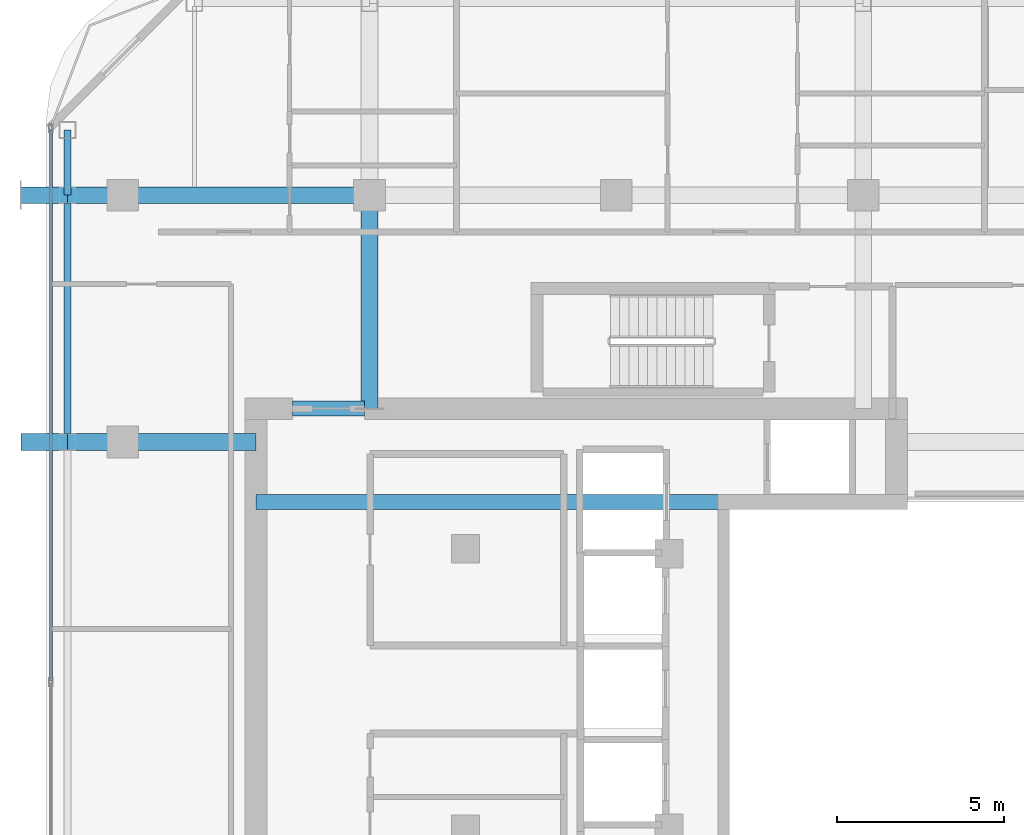
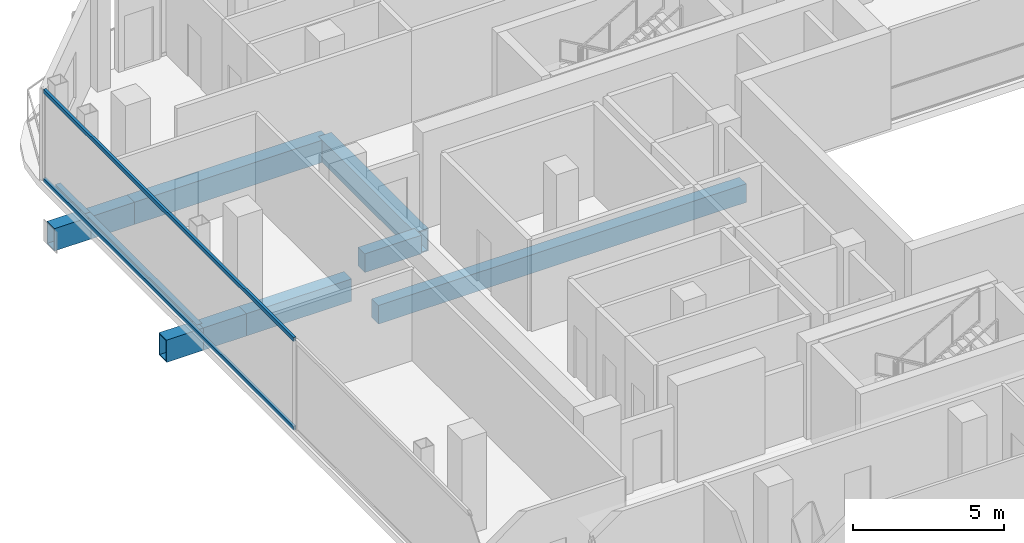
# One storey, part 11 of 25: 11 beams, 2 members, 1 element without a shape of its own.
"""IFC4 building model written with IfcOpenShell, lengths in metres."""

from ifc_helpers import new_model, si_unit, direction, frame, origin, origin_2d, place, context, subcontext, project, spatial, rectangle, hollow_rectangle, extrude, material, layer, layer_set, material_profile, profile_set, type_object, element, aggregate, save


model = new_model("IFC4")

# Units and contexts
model_context = context("Model", 3, precision=1e-05, world=origin(), true_north=direction((0.0, 1.0)))
body_context = subcontext(model_context, "Body", "Model", "MODEL_VIEW")
ifc_project = project(units=[si_unit("LENGTHUNIT", "METRE"), si_unit("AREAUNIT", "SQUARE_METRE"), si_unit("VOLUMEUNIT", "CUBIC_METRE"), si_unit("PLANEANGLEUNIT", "RADIAN"), si_unit("MASSUNIT", "GRAM", prefix="KILO")], contexts=[model_context])

# Site, building, storey
site_placement = place(None, origin())
site = spatial("IfcSite", under=ifc_project, at=site_placement, CompositionType="ELEMENT")
building_placement = place(site_placement, origin())
building = spatial("IfcBuilding", under=site, at=building_placement, Name="Khorvyn Point Tower", CompositionType="ELEMENT")
storey_placement = place(building_placement, frame((0.0, 0.0, 254.699951171875)))
storey = spatial("IfcBuildingStorey", under=building, at=storey_placement, Name="L62", CompositionType="ELEMENT", Elevation=254.699951171875)

# Curtain wall, members
ifc_material_1 = material(Name="Anodised aluminium 6063-T6 and laminated Low-E glass", Category="aluminium")
ifc_layer = layer(ifc_material_1, 0.18994140625)
ifc_layer_set = layer_set([ifc_layer], Name="Stick-Built High-Wind Curtain Wall CW-SYS-04")
curtain_wall_type = type_object("IfcCurtainWallType", Name="Stick-Built High-Wind Curtain Wall CW-SYS-04", PredefinedType="NOTDEFINED", material=ifc_layer_set)
curtain_wall_placement = place(storey_placement, origin())
curtain_wall = element("IfcCurtainWall", 1, at=curtain_wall_placement, inside=storey, type_object=curtain_wall_type, Name="Curtain Wall", PredefinedType="NOTDEFINED")
ifc_material_2 = material(Name="Anodised aluminium 6063-T6", Category="aluminium")
ifc_material_profile_1 = material_profile(ifc_material_2, hollow_rectangle(XDim=0.10009765625, YDim=0.159912109375, WallThickness=0.00439453125, at=origin_2d()))
ifc_profile_set_1 = profile_set([ifc_material_profile_1], Name="Anodised aluminium 6063-T6 ALU-TRN-100x160")
member_type = type_object("IfcMemberType", Name="Anodised Aluminium 6063-T6 Transom ALU-TRN-100x160", PredefinedType="USERDEFINED", material=ifc_profile_set_1)
member_1_placement = place(storey_placement, frame((-16.949951171875, 0.25, 0.050048828125), z_axis=(0.0, 1.0, 0.0), x_axis=(-1.0, 0.0, 0.0)))
member_1 = element("IfcMember", 2, at=member_1_placement, type_object=member_type, Name="Transom", ObjectType="TRANSOM", PredefinedType="USERDEFINED", context=body_context, shape_type="SweptSolid", body=[
    extrude(hollow_rectangle(XDim=0.10009765625, YDim=0.159912109375, WallThickness=0.00439453125, at=origin_2d()), origin(), (0.0, 0.0, 1.0), 16.5),
])
member_2_placement = place(storey_placement, frame((-16.949951171875, 0.25, 3.630126953125), z_axis=(0.0, 1.0, 0.0), x_axis=(-1.0, 0.0, 0.0)))
member_2 = element("IfcMember", 3, at=member_2_placement, type_object=member_type, Name="Transom", ObjectType="TRANSOM", PredefinedType="USERDEFINED", context=body_context, shape_type="SweptSolid", body=[
    extrude(hollow_rectangle(XDim=0.10009765625, YDim=0.159912109375, WallThickness=0.00439453125, at=origin_2d()), origin(), (0.0, 0.0, 1.0), 16.5),
])
aggregate(curtain_wall, [member_1, member_2])

# Beams
ifc_material_3 = material(Name="Concrete C40/50", Category="concrete")
ifc_material_profile_2 = material_profile(ifc_material_3, rectangle(XDim=0.449951171875, YDim=0.75, at=origin_2d()))
ifc_profile_set_2 = profile_set([ifc_material_profile_2], Name="Concrete C40/50 RC450x750")
beam_type_1 = type_object("IfcBeamType", Name="Concrete C40/50 Beam RC450x750", PredefinedType="BEAM", material=ifc_profile_set_2)
beam_1_placement = place(storey_placement, frame((-10.800048828125, 5.60009765625, -0.655029296875), z_axis=(1.0, 0.0, 0.0), x_axis=(0.0, 1.0, 0.0)))
element("IfcBeam", 4, at=beam_1_placement, inside=storey, type_object=beam_type_1, Name="L62 Core Internal Tie Girder N", PredefinedType="BEAM", context=body_context, shape_type="SweptSolid", body=[
    extrude(rectangle(XDim=0.449951171875, YDim=0.75, at=origin_2d()), origin(), (0.0, 0.0, 1.0), 14.02001953125),
])
beam_2_placement = place(storey_placement, frame((-9.699951171875, 8.39990234375, -0.655029296875), z_axis=(1.0, 0.0, 0.0), x_axis=(0.0, 1.0, 0.0)))
element("IfcBeam", 5, at=beam_2_placement, inside=storey, type_object=beam_type_1, Name="L62 Core Northwest Portal Coupling Beam", PredefinedType="BEAM", context=body_context, shape_type="SweptSolid", body=[
    extrude(rectangle(XDim=0.449951171875, YDim=0.75, at=origin_2d()), origin(), (0.0, 0.0, 1.0), 2.14990234375),
])
ifc_material_4 = material(Name="Steel S355", Category="steel")
ifc_material_profile_3 = material_profile(ifc_material_4, hollow_rectangle(XDim=0.199951171875, YDim=0.35009765625, WallThickness=0.013916015625, at=origin_2d()))
ifc_profile_set_3 = profile_set([ifc_material_profile_3], Name="Steel S355 RHS350x200x14")
beam_type_2 = type_object("IfcBeamType", Name="Steel S355 Spandrel RHS350x200x14", PredefinedType="SPANDREL", material=ifc_profile_set_3)
beam_3_placement = place(storey_placement, frame((-16.449951171875, 7.39990234375, -0.454833984375), z_axis=(0.0, 1.0, 0.0), x_axis=(-1.0, 0.0, 0.0)))
element("IfcBeam", 6, at=beam_3_placement, inside=storey, type_object=beam_type_2, Name="Beam", PredefinedType="SPANDREL", context=body_context, shape_type="SweptSolid", body=[
    extrude(hollow_rectangle(XDim=0.199951171875, YDim=0.35009765625, WallThickness=0.013916015625, at=origin_2d()), origin(), (0.0, 0.0, 1.0), 7.400146484375),
])
beam_4_placement = place(storey_placement, frame((-16.449951171875, 14.800048828125, -0.454833984375), z_axis=(0.0, 1.0, 0.0), x_axis=(-1.0, 0.0, 0.0)))
element("IfcBeam", 7, at=beam_4_placement, inside=storey, type_object=beam_type_2, Name="Beam", PredefinedType="SPANDREL", context=body_context, shape_type="SweptSolid", body=[
    extrude(hollow_rectangle(XDim=0.199951171875, YDim=0.35009765625, WallThickness=0.013916015625, at=origin_2d()), origin(), (0.0, 0.0, 1.0), 1.949951171875),
])
ifc_material_5 = material(Name="Steel S450", Category="steel")
ifc_material_profile_4 = material_profile(ifc_material_5, hollow_rectangle(XDim=0.5, YDim=0.89990234375, WallThickness=0.0400390625, at=origin_2d()))
ifc_profile_set_4 = profile_set([ifc_material_profile_4], Name="Steel S450 BOX900x500x40")
beam_type_3 = type_object("IfcBeamType", Name="Steel S450 Beam BOX900x500x40", PredefinedType="BEAM", material=ifc_profile_set_4)
beam_5_placement = place(storey_placement, frame((-17.85009765625, 14.800048828125, -0.72998046875), z_axis=(1.0, 0.0, 0.0), x_axis=(0.0, 1.0, 0.0)))
element("IfcBeam", 8, at=beam_5_placement, inside=storey, type_object=beam_type_3, Name="L62 Radial Transfer Girder", PredefinedType="BEAM", context=body_context, shape_type="SweptSolid", body=[
    extrude(hollow_rectangle(XDim=0.5, YDim=0.89990234375, WallThickness=0.0400390625, at=origin_2d()), origin(), (0.0, 0.0, 1.0), 1.400146484375),
])
beam_6_placement = place(storey_placement, frame((-16.449951171875, 14.800048828125, -0.72998046875), z_axis=(1.0, 0.0, 0.0), x_axis=(0.0, 1.0, 0.0)))
element("IfcBeam", 9, at=beam_6_placement, inside=storey, type_object=beam_type_3, Name="L62 Radial Transfer Girder", PredefinedType="BEAM", context=body_context, shape_type="SweptSolid", body=[
    extrude(hollow_rectangle(XDim=0.5, YDim=0.89990234375, WallThickness=0.0400390625, at=origin_2d()), origin(), (0.0, 0.0, 1.0), 1.64990234375),
])
beam_7_placement = place(storey_placement, frame((-14.800048828125, 14.800048828125, -0.72998046875), z_axis=(1.0, 0.0, 0.0), x_axis=(0.0, 1.0, 0.0)))
element("IfcBeam", 10, at=beam_7_placement, inside=storey, type_object=beam_type_3, Name="L62 Radial Transfer Girder", PredefinedType="BEAM", context=body_context, shape_type="SweptSolid", body=[
    extrude(hollow_rectangle(XDim=0.5, YDim=0.89990234375, WallThickness=0.0400390625, at=origin_2d()), origin(), (0.0, 0.0, 1.0), 7.400146484375),
])
beam_8_placement = place(storey_placement, frame((-17.85009765625, 7.39990234375, -0.72998046875), z_axis=(1.0, 0.0, 0.0), x_axis=(0.0, 1.0, 0.0)))
element("IfcBeam", 11, at=beam_8_placement, inside=storey, type_object=beam_type_3, Name="Beam", PredefinedType="BEAM", context=body_context, shape_type="SweptSolid", body=[
    extrude(hollow_rectangle(XDim=0.5, YDim=0.89990234375, WallThickness=0.0400390625, at=origin_2d()), origin(), (0.0, 0.0, 1.0), 1.400146484375),
])
beam_9_placement = place(storey_placement, frame((-16.449951171875, 7.39990234375, -0.72998046875), z_axis=(1.0, 0.0, 0.0), x_axis=(0.0, 1.0, 0.0)))
element("IfcBeam", 12, at=beam_9_placement, inside=storey, type_object=beam_type_3, Name="Beam", PredefinedType="BEAM", context=body_context, shape_type="SweptSolid", body=[
    extrude(hollow_rectangle(XDim=0.5, YDim=0.89990234375, WallThickness=0.0400390625, at=origin_2d()), origin(), (0.0, 0.0, 1.0), 1.64990234375),
])
beam_10_placement = place(storey_placement, frame((-14.800048828125, 7.39990234375, -0.72998046875), z_axis=(1.0, 0.0, 0.0), x_axis=(0.0, 1.0, 0.0)))
element("IfcBeam", 13, at=beam_10_placement, inside=storey, type_object=beam_type_3, Name="Beam", PredefinedType="BEAM", context=body_context, shape_type="SweptSolid", body=[
    extrude(hollow_rectangle(XDim=0.5, YDim=0.89990234375, WallThickness=0.0400390625, at=origin_2d()), origin(), (0.0, 0.0, 1.0), 4.0),
])
beam_11_placement = place(storey_placement, frame((-7.39990234375, 8.39990234375, -0.72998046875), z_axis=(0.0, 1.0, 0.0), x_axis=(-1.0, 0.0, 0.0)))
element("IfcBeam", 14, at=beam_11_placement, inside=storey, type_object=beam_type_3, Name="Beam", PredefinedType="BEAM", context=body_context, shape_type="SweptSolid", body=[
    extrude(hollow_rectangle(XDim=0.5, YDim=0.89990234375, WallThickness=0.0400390625, at=origin_2d()), origin(), (0.0, 0.0, 1.0), 6.400146484375),
])

save(model, "model.ifc")
